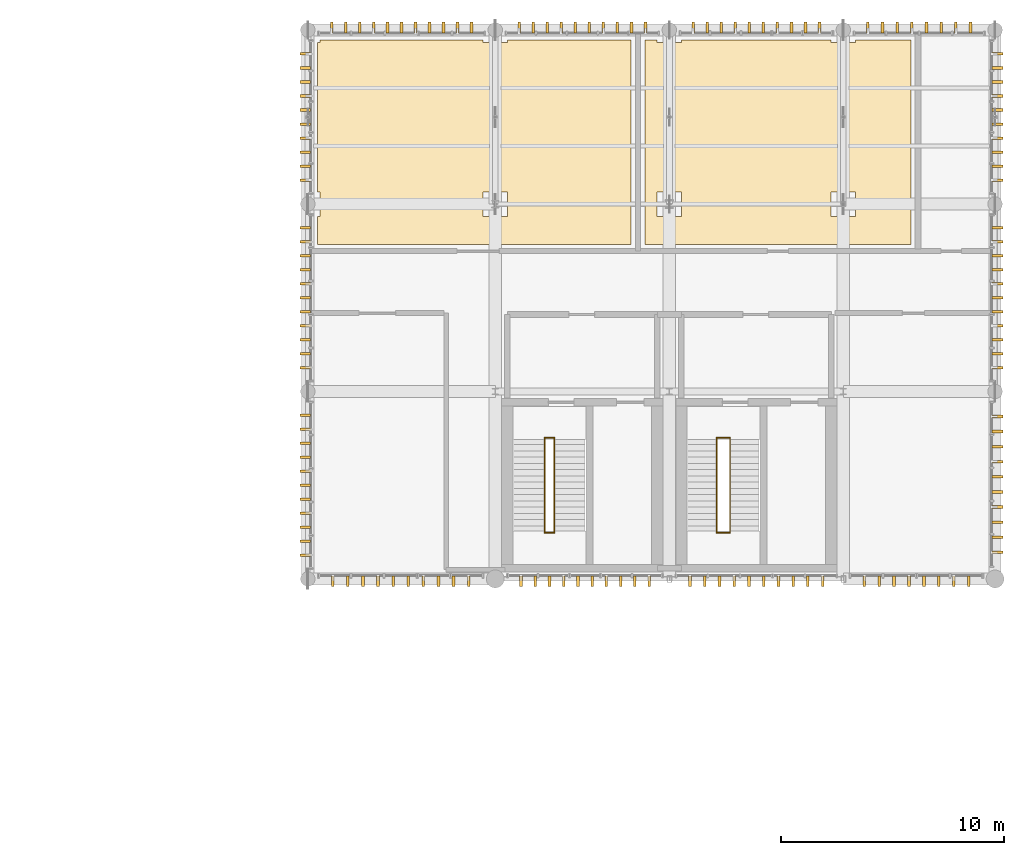
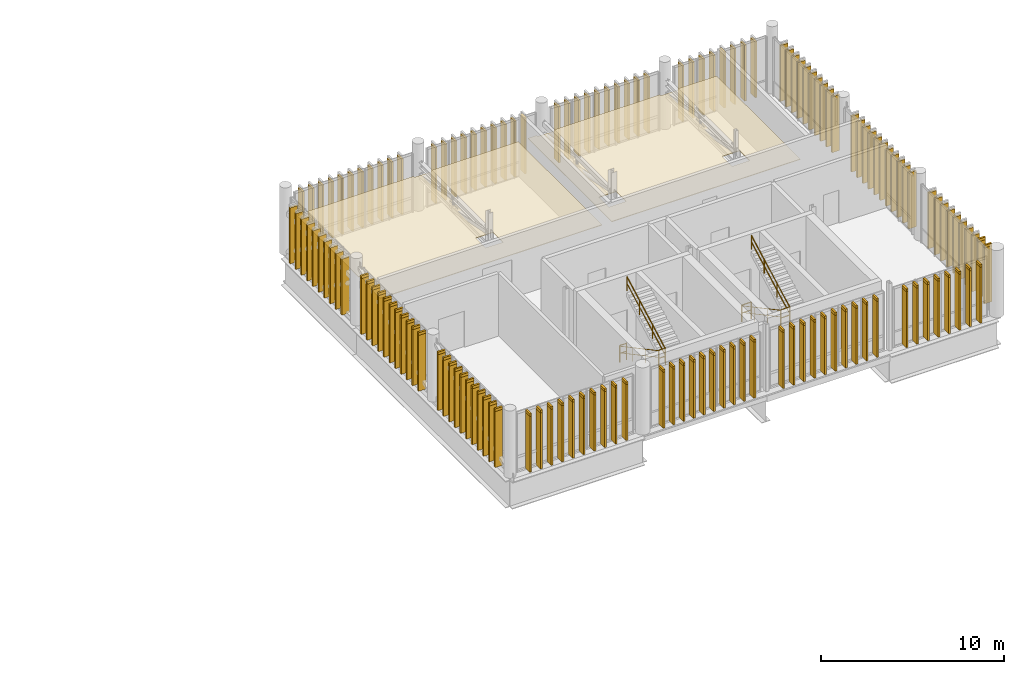
# One storey, part 52 of 53: 142 coverings, 62 shading devices, 8 railings.
"""IFC4 building model written with IfcOpenShell, lengths in metres."""

import ifcopenshell
import ifcopenshell.guid

model = None  # the IFC model being written
_history = None  # IfcOwnerHistory: only IFC2X3 demands one
_inside = {}  # id of a spatial element -> (the spatial element, [elements in it])
_under = {}  # id of a project, library or spatial element -> (it, [spatial elements below it])
_declared = {}  # id of a project -> (the project, [libraries it declares])
_typed = {}  # id of a type object -> (the type object, [elements of that type])
_made_of = {}  # id of a material, layer set ... -> (it, [elements and type objects made of it])


def new_model(schema):
    """Start an empty IFC model of exactly this schema.

    Asked for "IFC4X3", IfcOpenShell would pick the latest addendum, in which some entities
    have other attributes; the version numbers below select the first issue.
    IFC2X3 requires an IfcOwnerHistory on every rooted entity: one is made here for all.
    """
    global model, _history
    if schema == "IFC4X3":
        model = ifcopenshell.file(schema_version=(4, 3, 0, 0))
    else:
        model = ifcopenshell.file(schema=schema)
    _inside.clear()
    _under.clear()
    _declared.clear()
    _typed.clear()
    _made_of.clear()
    _history = None
    if model.schema == "IFC2X3":
        org = make("IfcOrganization", Name="unknown")
        user = make(
            "IfcPersonAndOrganization",
            ThePerson=make("IfcPerson", FamilyName="unknown"),
            TheOrganization=org,
        )
        app = make(
            "IfcApplication",
            ApplicationDeveloper=org,
            Version="unknown",
            ApplicationFullName="unknown",
            ApplicationIdentifier="unknown",
        )
        _history = make(
            "IfcOwnerHistory",
            OwningUser=user,
            OwningApplication=app,
            ChangeAction="ADDED",
            CreationDate=0,
        )
    return model


def make(cls, **values):
    """One entity of the class cls with the attributes given. An attribute that is None is left unset."""
    return model.create_entity(
        cls, **{name: value for name, value in values.items() if value is not None}
    )


def rooted(cls, **values):
    """An entity with a GlobalId (a new one), such as an element, a storey or a relation."""
    return make(cls, GlobalId=ifcopenshell.guid.new(), OwnerHistory=_history, **values)


def si_unit(unit_type, name, prefix=None):
    """IfcSIUnit, for example si_unit("LENGTHUNIT", "METRE", prefix="MILLI")."""
    return make("IfcSIUnit", UnitType=unit_type, Prefix=prefix, Name=name)


def assignment(units):
    """IfcUnitAssignment: the units of a project."""
    return None if units is None else make("IfcUnitAssignment", Units=units)


def point(xyz):
    """IfcCartesianPoint."""
    return None if xyz is None else make("IfcCartesianPoint", Coordinates=xyz)


def direction(xyz):
    """IfcDirection."""
    return None if xyz is None else make("IfcDirection", DirectionRatios=xyz)


def frame(location, z_axis=None, x_axis=None):
    """IfcAxis2Placement3D, a coordinate frame: its origin and axes. An axis left out is left unset."""
    return make(
        "IfcAxis2Placement3D",
        Location=point(location),
        Axis=direction(z_axis),
        RefDirection=direction(x_axis),
    )


def frame_2d(location, x_axis=None):
    """IfcAxis2Placement2D, a coordinate frame in the plane: its origin and x axis."""
    return make(
        "IfcAxis2Placement2D", Location=point(location), RefDirection=direction(x_axis)
    )


def origin_with_axes():
    """The frame at (0, 0, 0) with the z axis (0, 0, 1) and the x axis (1, 0, 0) written out."""
    return frame((0.0, 0.0, 0.0), z_axis=(0.0, 0.0, 1.0), x_axis=(1.0, 0.0, 0.0))


def origin_2d_with_axis():
    """The frame at (0, 0) in the plane with the x axis (1, 0) written out."""
    return frame_2d((0.0, 0.0), x_axis=(1.0, 0.0))


def place(relative_to, where):
    """IfcLocalPlacement: puts the frame where relative to a parent placement (None: the world)."""
    return make(
        "IfcLocalPlacement", PlacementRelTo=relative_to, RelativePlacement=where
    )


def context(
    kind, dimensions, precision=None, world=None, true_north=None, identifier=None
):
    """IfcGeometricRepresentationContext, for example the 3D "Model" context."""
    return make(
        "IfcGeometricRepresentationContext",
        ContextIdentifier=identifier,
        ContextType=kind,
        CoordinateSpaceDimension=dimensions,
        Precision=precision,
        WorldCoordinateSystem=world,
        TrueNorth=true_north,
    )


def subcontext(parent, identifier, kind, view, scale=None):
    """IfcGeometricRepresentationSubContext, for example "Body" below "Model"."""
    return make(
        "IfcGeometricRepresentationSubContext",
        ContextIdentifier=identifier,
        ContextType=kind,
        ParentContext=parent,
        TargetScale=scale,
        TargetView=view,
    )


def project(units=None, contexts=None):
    """IfcProject with its units and contexts."""
    return rooted(
        "IfcProject",
        Name="project",
        RepresentationContexts=contexts,
        UnitsInContext=assignment(units),
    )


def spatial(cls, under=None, at=None, **own):
    """A site, building, storey or space (cls), placed at a placement, below another one or the project."""
    s = rooted(cls, ObjectPlacement=at, **own)
    if under is not None:
        _under.setdefault(under.id(), (under, []))[1].append(s)
    return s


def polyline(points):
    """IfcPolyline through the points."""
    return make("IfcPolyline", Points=[point(p) for p in points])


def profile(cls, at=None, kind="AREA", **sizes):
    """A parametric profile (cls). Its sizes go by their IFC names, for example OverallWidth=200.0."""
    return make(cls, ProfileType=kind, Position=at, **sizes)


def rectangle(**sizes):
    """IfcRectangleProfileDef."""
    return profile("IfcRectangleProfileDef", **sizes)


def circle(**sizes):
    """IfcCircleProfileDef."""
    return profile("IfcCircleProfileDef", **sizes)


def outline(outer, holes=None, kind="AREA"):
    """IfcArbitraryClosedProfileDef: a profile drawn as a closed curve; with holes, ...WithVoids."""
    if holes is None:
        return make("IfcArbitraryClosedProfileDef", ProfileType=kind, OuterCurve=outer)
    return make(
        "IfcArbitraryProfileDefWithVoids",
        ProfileType=kind,
        OuterCurve=outer,
        InnerCurves=holes,
    )


def extrude(swept, where, along, depth):
    """IfcExtrudedAreaSolid: the profile swept, set in the frame where, extruded along a direction by depth."""
    return make(
        "IfcExtrudedAreaSolid",
        SweptArea=swept,
        Position=where,
        ExtrudedDirection=direction(along),
        Depth=depth,
    )


def shape(context_of_items, identifier, shape_type, items):
    """IfcShapeRepresentation: the items that make up one representation, for example the "Body"."""
    return make(
        "IfcShapeRepresentation",
        ContextOfItems=context_of_items,
        RepresentationIdentifier=identifier,
        RepresentationType=shape_type,
        Items=items,
    )


def material(Name=None, Category=None):
    """IfcMaterial."""
    return make("IfcMaterial", Name=Name, Category=Category)


def made_of(thing, what):
    """Note that an element or type object is made of a material, layer set ...; save() writes the relation."""
    if what is not None:
        _made_of.setdefault(what.id(), (what, []))[1].append(thing)
    return thing


def type_object(cls, material=None, **own):
    """A type object (cls), such as IfcWallType, which elements share."""
    return made_of(rooted(cls, **own), material)


def element(
    cls,
    number,
    at=None,
    inside=None,
    cuts=None,
    type_object=None,
    material=None,
    context=None,
    identifier="Body",
    shape_type=None,
    held_by="IfcProductDefinitionShape",
    body=None,
    shapes=None,
    **own,
):
    """One element of the class cls, such as IfcWall. Its Tag is "e" and its number.

    at: its placement. inside: the storey or other place that contains it. cuts: it is an
    opening in that element (IfcRelVoidsElement). A single representation is given by context,
    identifier, shape_type and body (its items); several are given by shapes. held_by: the class
    of the entity that holds the representations. save() writes the other relations.
    """
    e = rooted(cls, Tag="e%d" % number, ObjectPlacement=at, **own)
    if body is not None:
        shapes = [shape(context, identifier, shape_type, body)]
    if shapes is not None:
        e.Representation = make(held_by, Representations=shapes)
    if inside is not None:
        _inside.setdefault(inside.id(), (inside, []))[1].append(e)
    if cuts is not None:
        rooted(
            "IfcRelVoidsElement", RelatingBuildingElement=cuts, RelatedOpeningElement=e
        )
    if type_object is not None:
        _typed.setdefault(type_object.id(), (type_object, []))[1].append(e)
    return made_of(e, material)


def aggregate(whole, parts):
    """IfcRelAggregates: a whole, such as a stair, and the parts it consists of."""
    return rooted("IfcRelAggregates", RelatingObject=whole, RelatedObjects=parts)


def save(model, path):
    """Write the relations noted so far, then the file.

    IfcRelAggregates (storeys below a building ...), IfcRelContainedInSpatialStructure (elements
    in a storey), IfcRelDefinesByType, IfcRelAssociatesMaterial and IfcRelDeclares: one each for
    every whole, place, type object, material and project.
    """
    for whole, parts in _under.values():
        aggregate(whole, parts)
    for where, things in _inside.values():
        rooted(
            "IfcRelContainedInSpatialStructure",
            RelatedElements=things,
            RelatingStructure=where,
        )
    for kind, things in _typed.values():
        rooted("IfcRelDefinesByType", RelatedObjects=things, RelatingType=kind)
    for what, things in _made_of.values():
        rooted("IfcRelAssociatesMaterial", RelatedObjects=things, RelatingMaterial=what)
    for by, libraries in _declared.values():
        rooted("IfcRelDeclares", RelatingContext=by, RelatedDefinitions=libraries)
    model.write(path)


model = new_model("IFC4")

# Units and contexts
model_context = context("Model", 3, precision=1e-05, world=origin_with_axes(), true_north=direction((0.0, 1.0)))
body_context = subcontext(model_context, "Body", "Model", "MODEL_VIEW")
ifc_project = project(units=[si_unit("LENGTHUNIT", "METRE"), si_unit("AREAUNIT", "SQUARE_METRE"), si_unit("VOLUMEUNIT", "CUBIC_METRE"), si_unit("PLANEANGLEUNIT", "RADIAN"), si_unit("MASSUNIT", "GRAM", prefix="KILO"), si_unit("THERMODYNAMICTEMPERATUREUNIT", "KELVIN")], contexts=[model_context])

# Site, building, storey
site_placement = place(None, origin_with_axes())
site = spatial("IfcSite", under=ifc_project, at=site_placement, CompositionType="ELEMENT")
building_placement = place(site_placement, origin_with_axes())
building = spatial("IfcBuilding", under=site, at=building_placement, Name="Montbau Bow Law Courts", CompositionType="ELEMENT")
storey_placement = place(building_placement, frame((0.0, 0.0, 39.0), z_axis=(0.0, 0.0, 1.0), x_axis=(1.0, 0.0, 0.0)))
storey = spatial("IfcBuildingStorey", under=building, at=storey_placement, Name="L08", CompositionType="ELEMENT", Elevation=39.0)

# Coverings
ifc_material_1 = material(Name="Micro-Perforated White-Oak Acoustic Courtroom Ceiling", Category="wood")
covering_type_1 = type_object("IfcCoveringType", Name="CV-CLG-01", PredefinedType="CEILING", material=ifc_material_1)
covering_1_placement = place(None, frame((0.0, 0.0, 41.54), z_axis=(0.0, 0.0, 1.0), x_axis=(1.0, 0.0, 0.0)))
element("IfcCovering", 1, at=covering_1_placement, inside=storey, type_object=covering_type_1, Name="CLG-L08-04:cov_3546", PredefinedType="CEILING", context=body_context, shape_type="SweptSolid", body=[
    extrude(outline(polyline([(146.45, 110.56), (146.45, 110.45), (147.55, 110.45), (147.55, 110.56), (153.083, 110.56), (153.083, 101.38), (139.04, 101.38), (139.04, 102.65), (139.15, 102.65), (139.15, 103.75), (139.04, 103.75), (139.04, 110.45), (139.15, 110.45), (139.15, 110.56), (146.45, 110.56)]), holes=[polyline([(147.55, 102.65), (147.55, 103.75), (146.45, 103.75), (146.45, 102.65), (147.55, 102.65)])]), origin_with_axes(), (0.0, 0.0, 1.0), 0.04),
])
ifc_material_2 = material(Name="Mineral-Fibre Acoustic Lay-In Tile Ceiling", Category="gypsum")
covering_type_2 = type_object("IfcCoveringType", Name="CV-CLG-02", PredefinedType="CEILING", material=ifc_material_2)
covering_2_placement = place(None, frame((0.0, 0.0, 41.54), z_axis=(0.0, 0.0, 1.0), x_axis=(1.0, 0.0, 0.0)))
element("IfcCovering", 2, at=covering_2_placement, inside=storey, type_object=covering_type_2, Name="CLG-L08-05:cov_3547", PredefinedType="CEILING", context=body_context, shape_type="SweptSolid", body=[
    extrude(outline(polyline([(154.25, 110.56), (154.25, 110.45), (155.35, 110.45), (155.35, 110.56), (162.05, 110.56), (162.05, 110.45), (163.15, 110.45), (163.15, 110.56), (165.63, 110.56), (165.63, 101.38), (153.703, 101.38), (153.703, 110.56), (154.25, 110.56)]), holes=[polyline([(155.35, 102.65), (155.35, 103.75), (154.25, 103.75), (154.25, 102.65), (155.35, 102.65)]), polyline([(163.15, 102.65), (163.15, 103.75), (162.05, 103.75), (162.05, 102.65), (163.15, 102.65)])]), origin_with_axes(), (0.0, 0.0, 1.0), 0.04),
])
ifc_material_3 = material(Name="Freeze-Thaw Glazed Slate-Grey Ceramic Vertical Louvre", Category="masonry")
covering_type_3 = type_object("IfcCoveringType", Name="CV-LVR-SLT", PredefinedType="CLADDING", material=ifc_material_3)
for number, where, z_axis, x_axis, name in (
    (3, (139.717, 86.53, 39.0), (-1.0, 0.0, 0.0), (0.0, -1.0, 0.0), "CLV-L08-3230:cov_3275"),
    (4, (140.394, 86.53, 39.0), (-1.0, 0.0, 0.0), (0.0, -1.0, 0.0), "CLV-L08-3231:cov_3276"),
    (5, (141.07, 86.53, 39.0), (-1.0, 0.0, 0.0), (0.0, -1.0, 0.0), "CLV-L08-3232:cov_3277"),
    (6, (141.747, 86.53, 39.0), (-1.0, 0.0, 0.0), (0.0, -1.0, 0.0), "CLV-L08-3233:cov_3278"),
    (7, (142.424, 86.53, 39.0), (-1.0, 0.0, 0.0), (0.0, -1.0, 0.0), "CLV-L08-3234:cov_3279"),
    (8, (143.101, 86.53, 39.0), (-1.0, 0.0, 0.0), (0.0, -1.0, 0.0), "CLV-L08-3235:cov_3280"),
    (9, (143.778, 86.53, 39.0), (-1.0, 0.0, 0.0), (0.0, -1.0, 0.0), "CLV-L08-3236:cov_3281"),
    (10, (144.455, 86.53, 39.0), (-1.0, 0.0, 0.0), (0.0, -1.0, 0.0), "CLV-L08-3237:cov_3282"),
    (11, (145.131, 86.53, 39.0), (-1.0, 0.0, 0.0), (0.0, -1.0, 0.0), "CLV-L08-3238:cov_3283"),
    (12, (145.808, 86.53, 39.0), (-1.0, 0.0, 0.0), (0.0, -1.0, 0.0), "CLV-L08-3239:cov_3284"),
    (13, (148.153, 86.53, 39.0), (-1.0, 0.0, 0.0), (0.0, -1.0, 0.0), "CLV-L08-3240:cov_3285"),
    (14, (148.791, 86.53, 39.0), (-1.0, 0.0, 0.0), (0.0, -1.0, 0.0), "CLV-L08-3241:cov_3286"),
    (15, (149.429, 86.53, 39.0), (-1.0, 0.0, 0.0), (0.0, -1.0, 0.0), "CLV-L08-3242:cov_3287"),
    (16, (150.067, 86.53, 39.0), (-1.0, 0.0, 0.0), (0.0, -1.0, 0.0), "CLV-L08-3243:cov_3288"),
    (17, (150.705, 86.53, 39.0), (-1.0, 0.0, 0.0), (0.0, -1.0, 0.0), "CLV-L08-3244:cov_3289"),
    (18, (151.342, 86.53, 39.0), (-1.0, 0.0, 0.0), (0.0, -1.0, 0.0), "CLV-L08-3245:cov_3290"),
    (19, (151.98, 86.53, 39.0), (-1.0, 0.0, 0.0), (0.0, -1.0, 0.0), "CLV-L08-3246:cov_3291"),
    (20, (152.618, 86.53, 39.0), (-1.0, 0.0, 0.0), (0.0, -1.0, 0.0), "CLV-L08-3247:cov_3292"),
    (21, (153.256, 86.53, 39.0), (-1.0, 0.0, 0.0), (0.0, -1.0, 0.0), "CLV-L08-3248:cov_3293"),
    (22, (153.894, 86.53, 39.0), (-1.0, 0.0, 0.0), (0.0, -1.0, 0.0), "CLV-L08-3249:cov_3294"),
    (23, (155.728, 86.53, 39.0), (-1.0, 0.0, 0.0), (0.0, -1.0, 0.0), "CLV-L08-3250:cov_3295"),
    (24, (156.389, 86.53, 39.0), (-1.0, 0.0, 0.0), (0.0, -1.0, 0.0), "CLV-L08-3251:cov_3296"),
    (25, (157.049, 86.53, 39.0), (-1.0, 0.0, 0.0), (0.0, -1.0, 0.0), "CLV-L08-3252:cov_3297"),
    (26, (157.709, 86.53, 39.0), (-1.0, 0.0, 0.0), (0.0, -1.0, 0.0), "CLV-L08-3253:cov_3298"),
    (27, (158.37, 86.53, 39.0), (-1.0, 0.0, 0.0), (0.0, -1.0, 0.0), "CLV-L08-3254:cov_3299"),
    (28, (159.03, 86.53, 39.0), (-1.0, 0.0, 0.0), (0.0, -1.0, 0.0), "CLV-L08-3255:cov_3300"),
    (29, (159.691, 86.53, 39.0), (-1.0, 0.0, 0.0), (0.0, -1.0, 0.0), "CLV-L08-3256:cov_3301"),
    (30, (160.351, 86.53, 39.0), (-1.0, 0.0, 0.0), (0.0, -1.0, 0.0), "CLV-L08-3257:cov_3302"),
    (31, (161.011, 86.53, 39.0), (-1.0, 0.0, 0.0), (0.0, -1.0, 0.0), "CLV-L08-3258:cov_3303"),
    (32, (161.672, 86.53, 39.0), (-1.0, 0.0, 0.0), (0.0, -1.0, 0.0), "CLV-L08-3259:cov_3304"),
    (33, (163.537, 86.53, 39.0), (-1.0, 0.0, 0.0), (0.0, -1.0, 0.0), "CLV-L08-3260:cov_3305"),
    (34, (164.205, 86.53, 39.0), (-1.0, 0.0, 0.0), (0.0, -1.0, 0.0), "CLV-L08-3261:cov_3306"),
    (35, (164.874, 86.53, 39.0), (-1.0, 0.0, 0.0), (0.0, -1.0, 0.0), "CLV-L08-3262:cov_3307"),
    (36, (165.542, 86.53, 39.0), (-1.0, 0.0, 0.0), (0.0, -1.0, 0.0), "CLV-L08-3263:cov_3308"),
    (37, (166.211, 86.53, 39.0), (-1.0, 0.0, 0.0), (0.0, -1.0, 0.0), "CLV-L08-3264:cov_3309"),
    (38, (166.879, 86.53, 39.0), (-1.0, 0.0, 0.0), (0.0, -1.0, 0.0), "CLV-L08-3265:cov_3310"),
    (39, (167.548, 86.53, 39.0), (-1.0, 0.0, 0.0), (0.0, -1.0, 0.0), "CLV-L08-3266:cov_3311"),
    (40, (168.216, 86.53, 39.0), (-1.0, 0.0, 0.0), (0.0, -1.0, 0.0), "CLV-L08-3267:cov_3312"),
    (41, (139.667, 110.87, 39.0), (1.0, 0.0, 0.0), (0.0, 1.0, 0.0), "CLV-L08-3268:cov_3313"),
    (42, (140.293, 110.87, 39.0), (1.0, 0.0, 0.0), (0.0, 1.0, 0.0), "CLV-L08-3269:cov_3314"),
    (43, (140.92, 110.87, 39.0), (1.0, 0.0, 0.0), (0.0, 1.0, 0.0), "CLV-L08-3270:cov_3315"),
    (44, (141.547, 110.87, 39.0), (1.0, 0.0, 0.0), (0.0, 1.0, 0.0), "CLV-L08-3271:cov_3316"),
    (45, (142.173, 110.87, 39.0), (1.0, 0.0, 0.0), (0.0, 1.0, 0.0), "CLV-L08-3272:cov_3317"),
    (46, (142.8, 110.87, 39.0), (1.0, 0.0, 0.0), (0.0, 1.0, 0.0), "CLV-L08-3273:cov_3318"),
    (47, (143.427, 110.87, 39.0), (1.0, 0.0, 0.0), (0.0, 1.0, 0.0), "CLV-L08-3274:cov_3319"),
    (48, (144.053, 110.87, 39.0), (1.0, 0.0, 0.0), (0.0, 1.0, 0.0), "CLV-L08-3275:cov_3320"),
    (49, (144.68, 110.87, 39.0), (1.0, 0.0, 0.0), (0.0, 1.0, 0.0), "CLV-L08-3276:cov_3321"),
    (50, (145.307, 110.87, 39.0), (1.0, 0.0, 0.0), (0.0, 1.0, 0.0), "CLV-L08-3277:cov_3322"),
    (51, (145.933, 110.87, 39.0), (1.0, 0.0, 0.0), (0.0, 1.0, 0.0), "CLV-L08-3278:cov_3323"),
    (52, (148.069, 110.87, 39.0), (1.0, 0.0, 0.0), (0.0, 1.0, 0.0), "CLV-L08-3279:cov_3324"),
    (53, (148.698, 110.87, 39.0), (1.0, 0.0, 0.0), (0.0, 1.0, 0.0), "CLV-L08-3280:cov_3325"),
    (54, (149.327, 110.87, 39.0), (1.0, 0.0, 0.0), (0.0, 1.0, 0.0), "CLV-L08-3281:cov_3326"),
    (55, (149.956, 110.87, 39.0), (1.0, 0.0, 0.0), (0.0, 1.0, 0.0), "CLV-L08-3282:cov_3327"),
    (56, (150.585, 110.87, 39.0), (1.0, 0.0, 0.0), (0.0, 1.0, 0.0), "CLV-L08-3283:cov_3328"),
    (57, (151.215, 110.87, 39.0), (1.0, 0.0, 0.0), (0.0, 1.0, 0.0), "CLV-L08-3284:cov_3329"),
    (58, (151.844, 110.87, 39.0), (1.0, 0.0, 0.0), (0.0, 1.0, 0.0), "CLV-L08-3285:cov_3330"),
    (59, (152.473, 110.87, 39.0), (1.0, 0.0, 0.0), (0.0, 1.0, 0.0), "CLV-L08-3286:cov_3331"),
    (60, (153.102, 110.87, 39.0), (1.0, 0.0, 0.0), (0.0, 1.0, 0.0), "CLV-L08-3287:cov_3332"),
    (61, (153.731, 110.87, 39.0), (1.0, 0.0, 0.0), (0.0, 1.0, 0.0), "CLV-L08-3288:cov_3333"),
    (62, (155.869, 110.87, 39.0), (1.0, 0.0, 0.0), (0.0, 1.0, 0.0), "CLV-L08-3289:cov_3334"),
    (63, (156.498, 110.87, 39.0), (1.0, 0.0, 0.0), (0.0, 1.0, 0.0), "CLV-L08-3290:cov_3335"),
    (64, (157.127, 110.87, 39.0), (1.0, 0.0, 0.0), (0.0, 1.0, 0.0), "CLV-L08-3291:cov_3336"),
    (65, (157.756, 110.87, 39.0), (1.0, 0.0, 0.0), (0.0, 1.0, 0.0), "CLV-L08-3292:cov_3337"),
    (66, (158.385, 110.87, 39.0), (1.0, 0.0, 0.0), (0.0, 1.0, 0.0), "CLV-L08-3293:cov_3338"),
    (67, (159.015, 110.87, 39.0), (1.0, 0.0, 0.0), (0.0, 1.0, 0.0), "CLV-L08-3294:cov_3339"),
    (68, (159.644, 110.87, 39.0), (1.0, 0.0, 0.0), (0.0, 1.0, 0.0), "CLV-L08-3295:cov_3340"),
    (69, (160.273, 110.87, 39.0), (1.0, 0.0, 0.0), (0.0, 1.0, 0.0), "CLV-L08-3296:cov_3341"),
    (70, (160.902, 110.87, 39.0), (1.0, 0.0, 0.0), (0.0, 1.0, 0.0), "CLV-L08-3297:cov_3342"),
    (71, (161.531, 110.87, 39.0), (1.0, 0.0, 0.0), (0.0, 1.0, 0.0), "CLV-L08-3298:cov_3343"),
    (72, (163.698, 110.87, 39.0), (1.0, 0.0, 0.0), (0.0, 1.0, 0.0), "CLV-L08-3299:cov_3344"),
    (73, (164.356, 110.87, 39.0), (1.0, 0.0, 0.0), (0.0, 1.0, 0.0), "CLV-L08-3300:cov_3345"),
    (74, (165.013, 110.87, 39.0), (1.0, 0.0, 0.0), (0.0, 1.0, 0.0), "CLV-L08-3301:cov_3346"),
    (75, (165.671, 110.87, 39.0), (1.0, 0.0, 0.0), (0.0, 1.0, 0.0), "CLV-L08-3302:cov_3347"),
    (76, (166.329, 110.87, 39.0), (1.0, 0.0, 0.0), (0.0, 1.0, 0.0), "CLV-L08-3303:cov_3348"),
    (77, (166.987, 110.87, 39.0), (1.0, 0.0, 0.0), (0.0, 1.0, 0.0), "CLV-L08-3304:cov_3349"),
    (78, (167.644, 110.87, 39.0), (1.0, 0.0, 0.0), (0.0, 1.0, 0.0), "CLV-L08-3305:cov_3350"),
    (79, (168.302, 110.87, 39.0), (1.0, 0.0, 0.0), (0.0, 1.0, 0.0), "CLV-L08-3306:cov_3351"),
    (80, (138.73, 87.467, 39.0), (0.0, 1.0, 0.0), (-1.0, 0.0, 0.0), "CLV-L08-3307:cov_3352"),
    (81, (138.73, 88.093, 39.0), (0.0, 1.0, 0.0), (-1.0, 0.0, 0.0), "CLV-L08-3308:cov_3353"),
    (82, (138.73, 88.72, 39.0), (0.0, 1.0, 0.0), (-1.0, 0.0, 0.0), "CLV-L08-3309:cov_3354"),
    (83, (138.73, 89.347, 39.0), (0.0, 1.0, 0.0), (-1.0, 0.0, 0.0), "CLV-L08-3310:cov_3355"),
    (84, (138.73, 89.973, 39.0), (0.0, 1.0, 0.0), (-1.0, 0.0, 0.0), "CLV-L08-3311:cov_3356"),
    (85, (138.73, 90.6, 39.0), (0.0, 1.0, 0.0), (-1.0, 0.0, 0.0), "CLV-L08-3312:cov_3357"),
    (86, (138.73, 91.227, 39.0), (0.0, 1.0, 0.0), (-1.0, 0.0, 0.0), "CLV-L08-3313:cov_3358"),
    (87, (138.73, 91.853, 39.0), (0.0, 1.0, 0.0), (-1.0, 0.0, 0.0), "CLV-L08-3314:cov_3359"),
    (88, (138.73, 92.48, 39.0), (0.0, 1.0, 0.0), (-1.0, 0.0, 0.0), "CLV-L08-3315:cov_3360"),
    (89, (138.73, 93.107, 39.0), (0.0, 1.0, 0.0), (-1.0, 0.0, 0.0), "CLV-L08-3316:cov_3361"),
    (90, (138.73, 93.733, 39.0), (0.0, 1.0, 0.0), (-1.0, 0.0, 0.0), "CLV-L08-3317:cov_3362"),
    (91, (138.73, 95.867, 39.0), (0.0, 1.0, 0.0), (-1.0, 0.0, 0.0), "CLV-L08-3318:cov_3363"),
    (92, (138.73, 96.493, 39.0), (0.0, 1.0, 0.0), (-1.0, 0.0, 0.0), "CLV-L08-3319:cov_3364"),
    (93, (138.73, 97.12, 39.0), (0.0, 1.0, 0.0), (-1.0, 0.0, 0.0), "CLV-L08-3320:cov_3365"),
    (94, (138.73, 97.747, 39.0), (0.0, 1.0, 0.0), (-1.0, 0.0, 0.0), "CLV-L08-3321:cov_3366"),
    (95, (138.73, 98.373, 39.0), (0.0, 1.0, 0.0), (-1.0, 0.0, 0.0), "CLV-L08-3322:cov_3367"),
    (96, (138.73, 99.0, 39.0), (0.0, 1.0, 0.0), (-1.0, 0.0, 0.0), "CLV-L08-3323:cov_3368"),
    (97, (138.73, 99.627, 39.0), (0.0, 1.0, 0.0), (-1.0, 0.0, 0.0), "CLV-L08-3324:cov_3369"),
    (98, (138.73, 100.253, 39.0), (0.0, 1.0, 0.0), (-1.0, 0.0, 0.0), "CLV-L08-3325:cov_3370"),
    (99, (138.73, 100.88, 39.0), (0.0, 1.0, 0.0), (-1.0, 0.0, 0.0), "CLV-L08-3326:cov_3371"),
    (100, (138.73, 101.507, 39.0), (0.0, 1.0, 0.0), (-1.0, 0.0, 0.0), "CLV-L08-3327:cov_3372"),
    (101, (138.73, 102.133, 39.0), (0.0, 1.0, 0.0), (-1.0, 0.0, 0.0), "CLV-L08-3328:cov_3373"),
    (102, (138.73, 104.269, 39.0), (0.0, 1.0, 0.0), (-1.0, 0.0, 0.0), "CLV-L08-3329:cov_3374"),
    (103, (138.73, 104.898, 39.0), (0.0, 1.0, 0.0), (-1.0, 0.0, 0.0), "CLV-L08-3330:cov_3375"),
    (104, (138.73, 105.527, 39.0), (0.0, 1.0, 0.0), (-1.0, 0.0, 0.0), "CLV-L08-3331:cov_3376"),
    (105, (138.73, 106.156, 39.0), (0.0, 1.0, 0.0), (-1.0, 0.0, 0.0), "CLV-L08-3332:cov_3377"),
    (106, (138.73, 106.785, 39.0), (0.0, 1.0, 0.0), (-1.0, 0.0, 0.0), "CLV-L08-3333:cov_3378"),
    (107, (138.73, 107.415, 39.0), (0.0, 1.0, 0.0), (-1.0, 0.0, 0.0), "CLV-L08-3334:cov_3379"),
    (108, (138.73, 108.044, 39.0), (0.0, 1.0, 0.0), (-1.0, 0.0, 0.0), "CLV-L08-3335:cov_3380"),
    (109, (138.73, 108.673, 39.0), (0.0, 1.0, 0.0), (-1.0, 0.0, 0.0), "CLV-L08-3336:cov_3381"),
    (110, (138.73, 109.302, 39.0), (0.0, 1.0, 0.0), (-1.0, 0.0, 0.0), "CLV-L08-3337:cov_3382"),
    (111, (138.73, 109.931, 39.0), (0.0, 1.0, 0.0), (-1.0, 0.0, 0.0), "CLV-L08-3338:cov_3383"),
    (112, (169.27, 87.592, 39.0), (0.0, -1.0, 0.0), (1.0, 0.0, 0.0), "CLV-L08-3339:cov_3384"),
    (113, (169.27, 88.269, 39.0), (0.0, -1.0, 0.0), (1.0, 0.0, 0.0), "CLV-L08-3340:cov_3385"),
    (114, (169.27, 88.945, 39.0), (0.0, -1.0, 0.0), (1.0, 0.0, 0.0), "CLV-L08-3341:cov_3386"),
    (115, (169.27, 89.622, 39.0), (0.0, -1.0, 0.0), (1.0, 0.0, 0.0), "CLV-L08-3342:cov_3387"),
    (116, (169.27, 90.299, 39.0), (0.0, -1.0, 0.0), (1.0, 0.0, 0.0), "CLV-L08-3343:cov_3388"),
    (117, (169.27, 90.976, 39.0), (0.0, -1.0, 0.0), (1.0, 0.0, 0.0), "CLV-L08-3344:cov_3389"),
    (118, (169.27, 91.653, 39.0), (0.0, -1.0, 0.0), (1.0, 0.0, 0.0), "CLV-L08-3345:cov_3390"),
    (119, (169.27, 92.33, 39.0), (0.0, -1.0, 0.0), (1.0, 0.0, 0.0), "CLV-L08-3346:cov_3391"),
    (120, (169.27, 93.006, 39.0), (0.0, -1.0, 0.0), (1.0, 0.0, 0.0), "CLV-L08-3347:cov_3392"),
    (121, (169.27, 93.683, 39.0), (0.0, -1.0, 0.0), (1.0, 0.0, 0.0), "CLV-L08-3348:cov_3393"),
    (122, (169.27, 95.867, 39.0), (0.0, -1.0, 0.0), (1.0, 0.0, 0.0), "CLV-L08-3349:cov_3394"),
    (123, (169.27, 96.493, 39.0), (0.0, -1.0, 0.0), (1.0, 0.0, 0.0), "CLV-L08-3350:cov_3395"),
    (124, (169.27, 97.12, 39.0), (0.0, -1.0, 0.0), (1.0, 0.0, 0.0), "CLV-L08-3351:cov_3396"),
    (125, (169.27, 97.747, 39.0), (0.0, -1.0, 0.0), (1.0, 0.0, 0.0), "CLV-L08-3352:cov_3397"),
    (126, (169.27, 98.373, 39.0), (0.0, -1.0, 0.0), (1.0, 0.0, 0.0), "CLV-L08-3353:cov_3398"),
    (127, (169.27, 99.0, 39.0), (0.0, -1.0, 0.0), (1.0, 0.0, 0.0), "CLV-L08-3354:cov_3399"),
    (128, (169.27, 99.627, 39.0), (0.0, -1.0, 0.0), (1.0, 0.0, 0.0), "CLV-L08-3355:cov_3400"),
    (129, (169.27, 100.253, 39.0), (0.0, -1.0, 0.0), (1.0, 0.0, 0.0), "CLV-L08-3356:cov_3401"),
    (130, (169.27, 100.88, 39.0), (0.0, -1.0, 0.0), (1.0, 0.0, 0.0), "CLV-L08-3357:cov_3402"),
    (131, (169.27, 101.507, 39.0), (0.0, -1.0, 0.0), (1.0, 0.0, 0.0), "CLV-L08-3358:cov_3403"),
    (132, (169.27, 102.133, 39.0), (0.0, -1.0, 0.0), (1.0, 0.0, 0.0), "CLV-L08-3359:cov_3404"),
    (133, (169.27, 104.269, 39.0), (0.0, -1.0, 0.0), (1.0, 0.0, 0.0), "CLV-L08-3360:cov_3405"),
    (134, (169.27, 104.898, 39.0), (0.0, -1.0, 0.0), (1.0, 0.0, 0.0), "CLV-L08-3361:cov_3406"),
    (135, (169.27, 105.527, 39.0), (0.0, -1.0, 0.0), (1.0, 0.0, 0.0), "CLV-L08-3362:cov_3407"),
    (136, (169.27, 106.156, 39.0), (0.0, -1.0, 0.0), (1.0, 0.0, 0.0), "CLV-L08-3363:cov_3408"),
    (137, (169.27, 106.785, 39.0), (0.0, -1.0, 0.0), (1.0, 0.0, 0.0), "CLV-L08-3364:cov_3409"),
    (138, (169.27, 107.415, 39.0), (0.0, -1.0, 0.0), (1.0, 0.0, 0.0), "CLV-L08-3365:cov_3410"),
    (139, (169.27, 108.044, 39.0), (0.0, -1.0, 0.0), (1.0, 0.0, 0.0), "CLV-L08-3366:cov_3411"),
    (140, (169.27, 108.673, 39.0), (0.0, -1.0, 0.0), (1.0, 0.0, 0.0), "CLV-L08-3367:cov_3412"),
    (141, (169.27, 109.302, 39.0), (0.0, -1.0, 0.0), (1.0, 0.0, 0.0), "CLV-L08-3368:cov_3413"),
    (142, (169.27, 109.931, 39.0), (0.0, -1.0, 0.0), (1.0, 0.0, 0.0), "CLV-L08-3369:cov_3414"),
):
    element("IfcCovering", number, at=place(None, frame(where, z_axis=z_axis, x_axis=x_axis)), inside=storey, type_object=covering_type_3, Name=name, PredefinedType="CLADDING", context=body_context, shape_type="SweptSolid", body=[
        extrude(rectangle(XDim=0.48, YDim=3.74, at=frame_2d((0.24, 1.87), x_axis=(1.0, 0.0))), frame((0.0, 0.0, -0.06), z_axis=(0.0, 0.0, 1.0), x_axis=(1.0, 0.0, 0.0)), (0.0, 0.0, 1.0), 0.12),
    ])

# Railings
ifc_material_4 = material(Name="Architectural Bronze-Finished Steel Stair Guard", Category="steel")
railing_type_1 = type_object("IfcRailingType", Name="RL-GRD-1100", PredefinedType="GUARDRAIL", material=ifc_material_4)
railing_1_placement = place(None, origin_with_axes())
element("IfcRailing", 143, at=railing_1_placement, inside=storey, type_object=railing_type_1, Name="SG-ST-P2-L08-ML:rlg_0196", PredefinedType="GUARDRAIL", context=body_context, shape_type="SweptSolid", body=[
    extrude(circle(Radius=0.0225, at=origin_2d_with_axis()), frame((149.21, 88.47, 42.352), z_axis=(1.0, 0.0, 0.0), x_axis=(0.0, 0.0, 1.0)), (0.0, 0.0, 1.0), 0.43),
    extrude(circle(Radius=0.02025, at=origin_2d_with_axis()), frame((149.21, 88.47, 41.822), z_axis=(1.0, 0.0, 0.0), x_axis=(0.0, 0.0, 1.0)), (0.0, 0.0, 1.0), 0.43),
    extrude(circle(Radius=0.02025, at=origin_2d_with_axis()), frame((149.21, 88.47, 41.25), z_axis=(0.0, 0.0, 1.0), x_axis=(1.0, 0.0, 0.0)), (0.0, 0.0, 1.0), 1.07525),
    extrude(circle(Radius=0.02025, at=origin_2d_with_axis()), frame((149.64, 88.47, 41.25), z_axis=(0.0, 0.0, 1.0), x_axis=(1.0, 0.0, 0.0)), (0.0, 0.0, 1.0), 1.07525),
])
railing_2_placement = place(None, origin_with_axes())
element("IfcRailing", 144, at=railing_2_placement, inside=storey, type_object=railing_type_1, Name="SG-ST-P2-L08-BL:rlg_0197", PredefinedType="GUARDRAIL", context=body_context, shape_type="SweptSolid", body=[
    extrude(circle(Radius=0.0225, at=origin_2d_with_axis()), frame((149.21, 92.73, 40.102), z_axis=(1.0, 0.0, 0.0), x_axis=(0.0, 0.0, 1.0)), (0.0, 0.0, 1.0), 0.43),
    extrude(circle(Radius=0.02025, at=origin_2d_with_axis()), frame((149.21, 92.73, 39.572), z_axis=(1.0, 0.0, 0.0), x_axis=(0.0, 0.0, 1.0)), (0.0, 0.0, 1.0), 0.43),
    extrude(circle(Radius=0.02025, at=origin_2d_with_axis()), frame((149.21, 92.73, 39.0), z_axis=(0.0, 0.0, 1.0), x_axis=(1.0, 0.0, 0.0)), (0.0, 0.0, 1.0), 1.07525),
    extrude(circle(Radius=0.02025, at=origin_2d_with_axis()), frame((149.64, 92.73, 39.0), z_axis=(0.0, 0.0, 1.0), x_axis=(1.0, 0.0, 0.0)), (0.0, 0.0, 1.0), 1.07525),
])
railing_3_placement = place(None, origin_with_axes())
element("IfcRailing", 145, at=railing_3_placement, inside=storey, type_object=railing_type_1, Name="SG-ST-J2-L08-ML:rlg_0239", PredefinedType="GUARDRAIL", context=body_context, shape_type="SweptSolid", body=[
    extrude(circle(Radius=0.0225, at=origin_2d_with_axis()), frame((156.93, 88.47, 42.352), z_axis=(1.0, 0.0, 0.0), x_axis=(0.0, 0.0, 1.0)), (0.0, 0.0, 1.0), 0.59),
    extrude(circle(Radius=0.02025, at=origin_2d_with_axis()), frame((156.93, 88.47, 41.822), z_axis=(1.0, 0.0, 0.0), x_axis=(0.0, 0.0, 1.0)), (0.0, 0.0, 1.0), 0.59),
    extrude(circle(Radius=0.02025, at=origin_2d_with_axis()), frame((156.93, 88.47, 41.25), z_axis=(0.0, 0.0, 1.0), x_axis=(1.0, 0.0, 0.0)), (0.0, 0.0, 1.0), 1.07525),
    extrude(circle(Radius=0.02025, at=origin_2d_with_axis()), frame((157.52, 88.47, 41.25), z_axis=(0.0, 0.0, 1.0), x_axis=(1.0, 0.0, 0.0)), (0.0, 0.0, 1.0), 1.07525),
])
railing_4_placement = place(None, origin_with_axes())
element("IfcRailing", 146, at=railing_4_placement, inside=storey, type_object=railing_type_1, Name="SG-ST-J2-L08-BL:rlg_0240", PredefinedType="GUARDRAIL", context=body_context, shape_type="SweptSolid", body=[
    extrude(circle(Radius=0.0225, at=origin_2d_with_axis()), frame((156.93, 92.73, 40.102), z_axis=(1.0, 0.0, 0.0), x_axis=(0.0, 0.0, 1.0)), (0.0, 0.0, 1.0), 0.59),
    extrude(circle(Radius=0.02025, at=origin_2d_with_axis()), frame((156.93, 92.73, 39.572), z_axis=(1.0, 0.0, 0.0), x_axis=(0.0, 0.0, 1.0)), (0.0, 0.0, 1.0), 0.59),
    extrude(circle(Radius=0.02025, at=origin_2d_with_axis()), frame((156.93, 92.73, 39.0), z_axis=(0.0, 0.0, 1.0), x_axis=(1.0, 0.0, 0.0)), (0.0, 0.0, 1.0), 1.07525),
    extrude(circle(Radius=0.02025, at=origin_2d_with_axis()), frame((157.52, 92.73, 39.0), z_axis=(0.0, 0.0, 1.0), x_axis=(1.0, 0.0, 0.0)), (0.0, 0.0, 1.0), 1.07525),
])
ifc_material_5 = material(Name="White-Oak and Stainless Continuous Stair Handrail", Category="steel")
railing_type_2 = type_object("IfcRailingType", Name="RL-HND-0920", PredefinedType="HANDRAIL", material=ifc_material_5)
railing_5_placement = place(None, origin_with_axes())
element("IfcRailing", 147, at=railing_5_placement, inside=storey, type_object=railing_type_2, Name="HR-ST-P2-L08-1:rlg_0198", PredefinedType="HANDRAIL", context=body_context, shape_type="SweptSolid", body=[
    extrude(circle(Radius=0.021, at=origin_2d_with_axis()), frame((149.21, 92.7, 40.072), z_axis=(0.0, -0.88147997, 0.472221413), x_axis=(0.0, 0.472221413, 0.88147997)), (0.0, 0.0, 1.0), 4.764714),
    extrude(circle(Radius=0.0189, at=origin_2d_with_axis()), frame((149.21, 92.7, 39.6284), z_axis=(0.0, -0.88147997, 0.472221413), x_axis=(0.0, 0.472221413, 0.88147997)), (0.0, 0.0, 1.0), 4.764714),
    extrude(circle(Radius=0.0189, at=origin_2d_with_axis()), frame((149.21, 92.7, 39.15), z_axis=(0.0, 0.0, 1.0), x_axis=(1.0, 0.0, 0.0)), (0.0, 0.0, 1.0), 0.8969),
    extrude(circle(Radius=0.0189, at=origin_2d_with_axis()), frame((149.21, 91.3, 39.9), z_axis=(0.0, 0.0, 1.0), x_axis=(1.0, 0.0, 0.0)), (0.0, 0.0, 1.0), 0.8969),
    extrude(circle(Radius=0.0189, at=origin_2d_with_axis()), frame((149.21, 89.9, 40.65), z_axis=(0.0, 0.0, 1.0), x_axis=(1.0, 0.0, 0.0)), (0.0, 0.0, 1.0), 0.8969),
    extrude(circle(Radius=0.0189, at=origin_2d_with_axis()), frame((149.21, 88.5, 41.4), z_axis=(0.0, 0.0, 1.0), x_axis=(1.0, 0.0, 0.0)), (0.0, 0.0, 1.0), 0.8969),
])
railing_6_placement = place(None, origin_with_axes())
element("IfcRailing", 148, at=railing_6_placement, inside=storey, type_object=railing_type_2, Name="HR-ST-P2-L08-2:rlg_0199", PredefinedType="HANDRAIL", context=body_context, shape_type="SweptSolid", body=[
    extrude(circle(Radius=0.021, at=origin_2d_with_axis()), frame((149.64, 88.5, 42.322), z_axis=(0.0, 0.88147997, 0.472221413), x_axis=(0.0, -0.472221413, 0.88147997)), (0.0, 0.0, 1.0), 4.764714),
    extrude(circle(Radius=0.0189, at=origin_2d_with_axis()), frame((149.64, 88.5, 41.8784), z_axis=(0.0, 0.88147997, 0.472221413), x_axis=(0.0, -0.472221413, 0.88147997)), (0.0, 0.0, 1.0), 4.764714),
    extrude(circle(Radius=0.0189, at=origin_2d_with_axis()), frame((149.64, 88.5, 41.4), z_axis=(0.0, 0.0, 1.0), x_axis=(1.0, 0.0, 0.0)), (0.0, 0.0, 1.0), 0.8969),
    extrude(circle(Radius=0.0189, at=origin_2d_with_axis()), frame((149.64, 89.9, 42.15), z_axis=(0.0, 0.0, 1.0), x_axis=(1.0, 0.0, 0.0)), (0.0, 0.0, 1.0), 0.8969),
    extrude(circle(Radius=0.0189, at=origin_2d_with_axis()), frame((149.64, 91.3, 42.9), z_axis=(0.0, 0.0, 1.0), x_axis=(1.0, 0.0, 0.0)), (0.0, 0.0, 1.0), 0.8969),
    extrude(circle(Radius=0.0189, at=origin_2d_with_axis()), frame((149.64, 92.7, 43.65), z_axis=(0.0, 0.0, 1.0), x_axis=(1.0, 0.0, 0.0)), (0.0, 0.0, 1.0), 0.8969),
])
railing_7_placement = place(None, origin_with_axes())
element("IfcRailing", 149, at=railing_7_placement, inside=storey, type_object=railing_type_2, Name="HR-ST-J2-L08-1:rlg_0241", PredefinedType="HANDRAIL", context=body_context, shape_type="SweptSolid", body=[
    extrude(circle(Radius=0.021, at=origin_2d_with_axis()), frame((156.93, 92.7, 40.072), z_axis=(0.0, -0.88147997, 0.472221413), x_axis=(0.0, 0.472221413, 0.88147997)), (0.0, 0.0, 1.0), 4.764714),
    extrude(circle(Radius=0.0189, at=origin_2d_with_axis()), frame((156.93, 92.7, 39.6284), z_axis=(0.0, -0.88147997, 0.472221413), x_axis=(0.0, 0.472221413, 0.88147997)), (0.0, 0.0, 1.0), 4.764714),
    extrude(circle(Radius=0.0189, at=origin_2d_with_axis()), frame((156.93, 92.7, 39.15), z_axis=(0.0, 0.0, 1.0), x_axis=(1.0, 0.0, 0.0)), (0.0, 0.0, 1.0), 0.8969),
    extrude(circle(Radius=0.0189, at=origin_2d_with_axis()), frame((156.93, 91.3, 39.9), z_axis=(0.0, 0.0, 1.0), x_axis=(1.0, 0.0, 0.0)), (0.0, 0.0, 1.0), 0.8969),
    extrude(circle(Radius=0.0189, at=origin_2d_with_axis()), frame((156.93, 89.9, 40.65), z_axis=(0.0, 0.0, 1.0), x_axis=(1.0, 0.0, 0.0)), (0.0, 0.0, 1.0), 0.8969),
    extrude(circle(Radius=0.0189, at=origin_2d_with_axis()), frame((156.93, 88.5, 41.4), z_axis=(0.0, 0.0, 1.0), x_axis=(1.0, 0.0, 0.0)), (0.0, 0.0, 1.0), 0.8969),
])
railing_8_placement = place(None, origin_with_axes())
element("IfcRailing", 150, at=railing_8_placement, inside=storey, type_object=railing_type_2, Name="HR-ST-J2-L08-2:rlg_0242", PredefinedType="HANDRAIL", context=body_context, shape_type="SweptSolid", body=[
    extrude(circle(Radius=0.021, at=origin_2d_with_axis()), frame((157.52, 88.5, 42.322), z_axis=(0.0, 0.88147997, 0.472221413), x_axis=(0.0, -0.472221413, 0.88147997)), (0.0, 0.0, 1.0), 4.764714),
    extrude(circle(Radius=0.0189, at=origin_2d_with_axis()), frame((157.52, 88.5, 41.8784), z_axis=(0.0, 0.88147997, 0.472221413), x_axis=(0.0, -0.472221413, 0.88147997)), (0.0, 0.0, 1.0), 4.764714),
    extrude(circle(Radius=0.0189, at=origin_2d_with_axis()), frame((157.52, 88.5, 41.4), z_axis=(0.0, 0.0, 1.0), x_axis=(1.0, 0.0, 0.0)), (0.0, 0.0, 1.0), 0.8969),
    extrude(circle(Radius=0.0189, at=origin_2d_with_axis()), frame((157.52, 89.9, 42.15), z_axis=(0.0, 0.0, 1.0), x_axis=(1.0, 0.0, 0.0)), (0.0, 0.0, 1.0), 0.8969),
    extrude(circle(Radius=0.0189, at=origin_2d_with_axis()), frame((157.52, 91.3, 42.9), z_axis=(0.0, 0.0, 1.0), x_axis=(1.0, 0.0, 0.0)), (0.0, 0.0, 1.0), 0.8969),
    extrude(circle(Radius=0.0189, at=origin_2d_with_axis()), frame((157.52, 92.7, 43.65), z_axis=(0.0, 0.0, 1.0), x_axis=(1.0, 0.0, 0.0)), (0.0, 0.0, 1.0), 0.8969),
])

# Shading devices
shading_device_type = type_object("IfcShadingDeviceType", Name="SH-LVR-SLT", PredefinedType="USERDEFINED", material=ifc_material_3)
for number, where, z_axis, x_axis, name in (
    (151, (139.717, 86.29, 42.74), (0.0, 0.0, 1.0), (0.0, -1.0, 0.0), "LVR-L08-3230:shd_3230"),
    (152, (140.394, 86.29, 42.74), (0.0, 0.0, 1.0), (0.0, -1.0, 0.0), "LVR-L08-3231:shd_3231"),
    (153, (141.07, 86.29, 42.74), (0.0, 0.0, 1.0), (0.0, -1.0, 0.0), "LVR-L08-3232:shd_3232"),
    (154, (141.747, 86.29, 42.74), (0.0, 0.0, 1.0), (0.0, -1.0, 0.0), "LVR-L08-3233:shd_3233"),
    (155, (142.424, 86.29, 42.74), (0.0, 0.0, 1.0), (0.0, -1.0, 0.0), "LVR-L08-3234:shd_3234"),
    (156, (143.101, 86.29, 42.74), (0.0, 0.0, 1.0), (0.0, -1.0, 0.0), "LVR-L08-3235:shd_3235"),
    (157, (143.778, 86.29, 42.74), (0.0, 0.0, 1.0), (0.0, -1.0, 0.0), "LVR-L08-3236:shd_3236"),
    (158, (144.455, 86.29, 42.74), (0.0, 0.0, 1.0), (0.0, -1.0, 0.0), "LVR-L08-3237:shd_3237"),
    (159, (145.131, 86.29, 42.74), (0.0, 0.0, 1.0), (0.0, -1.0, 0.0), "LVR-L08-3238:shd_3238"),
    (160, (145.808, 86.29, 42.74), (0.0, 0.0, 1.0), (0.0, -1.0, 0.0), "LVR-L08-3239:shd_3239"),
    (161, (148.153, 86.29, 42.74), (0.0, 0.0, 1.0), (0.0, -1.0, 0.0), "LVR-L08-3240:shd_3240"),
    (162, (148.791, 86.29, 42.74), (0.0, 0.0, 1.0), (0.0, -1.0, 0.0), "LVR-L08-3241:shd_3241"),
    (163, (149.429, 86.29, 42.74), (0.0, 0.0, 1.0), (0.0, -1.0, 0.0), "LVR-L08-3242:shd_3242"),
    (164, (150.067, 86.29, 42.74), (0.0, 0.0, 1.0), (0.0, -1.0, 0.0), "LVR-L08-3243:shd_3243"),
    (165, (150.705, 86.29, 42.74), (0.0, 0.0, 1.0), (0.0, -1.0, 0.0), "LVR-L08-3244:shd_3244"),
    (166, (151.342, 86.29, 42.74), (0.0, 0.0, 1.0), (0.0, -1.0, 0.0), "LVR-L08-3245:shd_3245"),
    (167, (151.98, 86.29, 42.74), (0.0, 0.0, 1.0), (0.0, -1.0, 0.0), "LVR-L08-3246:shd_3246"),
    (168, (152.618, 86.29, 42.74), (0.0, 0.0, 1.0), (0.0, -1.0, 0.0), "LVR-L08-3247:shd_3247"),
    (169, (153.256, 86.29, 42.74), (0.0, 0.0, 1.0), (0.0, -1.0, 0.0), "LVR-L08-3248:shd_3248"),
    (170, (153.894, 86.29, 42.74), (0.0, 0.0, 1.0), (0.0, -1.0, 0.0), "LVR-L08-3249:shd_3249"),
    (171, (155.728, 86.29, 42.74), (0.0, 0.0, 1.0), (0.0, -1.0, 0.0), "LVR-L08-3250:shd_3250"),
    (172, (156.389, 86.29, 42.74), (0.0, 0.0, 1.0), (0.0, -1.0, 0.0), "LVR-L08-3251:shd_3251"),
    (173, (157.049, 86.29, 42.74), (0.0, 0.0, 1.0), (0.0, -1.0, 0.0), "LVR-L08-3252:shd_3252"),
    (174, (157.709, 86.29, 42.74), (0.0, 0.0, 1.0), (0.0, -1.0, 0.0), "LVR-L08-3253:shd_3253"),
    (175, (158.37, 86.29, 42.74), (0.0, 0.0, 1.0), (0.0, -1.0, 0.0), "LVR-L08-3254:shd_3254"),
    (176, (159.03, 86.29, 42.74), (0.0, 0.0, 1.0), (0.0, -1.0, 0.0), "LVR-L08-3255:shd_3255"),
    (177, (159.691, 86.29, 42.74), (0.0, 0.0, 1.0), (0.0, -1.0, 0.0), "LVR-L08-3256:shd_3256"),
    (178, (160.351, 86.29, 42.74), (0.0, 0.0, 1.0), (0.0, -1.0, 0.0), "LVR-L08-3257:shd_3257"),
    (179, (161.011, 86.29, 42.74), (0.0, 0.0, 1.0), (0.0, -1.0, 0.0), "LVR-L08-3258:shd_3258"),
    (180, (161.672, 86.29, 42.74), (0.0, 0.0, 1.0), (0.0, -1.0, 0.0), "LVR-L08-3259:shd_3259"),
    (181, (163.537, 86.29, 42.74), (0.0, 0.0, 1.0), (0.0, -1.0, 0.0), "LVR-L08-3260:shd_3260"),
    (182, (164.205, 86.29, 42.74), (0.0, 0.0, 1.0), (0.0, -1.0, 0.0), "LVR-L08-3261:shd_3261"),
    (183, (164.874, 86.29, 42.74), (0.0, 0.0, 1.0), (0.0, -1.0, 0.0), "LVR-L08-3262:shd_3262"),
    (184, (165.542, 86.29, 42.74), (0.0, 0.0, 1.0), (0.0, -1.0, 0.0), "LVR-L08-3263:shd_3263"),
    (185, (166.211, 86.29, 42.74), (0.0, 0.0, 1.0), (0.0, -1.0, 0.0), "LVR-L08-3264:shd_3264"),
    (186, (166.879, 86.29, 42.74), (0.0, 0.0, 1.0), (0.0, -1.0, 0.0), "LVR-L08-3265:shd_3265"),
    (187, (167.548, 86.29, 42.74), (0.0, 0.0, 1.0), (0.0, -1.0, 0.0), "LVR-L08-3266:shd_3266"),
    (188, (168.216, 86.29, 42.74), (0.0, 0.0, 1.0), (0.0, -1.0, 0.0), "LVR-L08-3267:shd_3267"),
    (189, (138.49, 87.467, 42.74), (0.0, 0.0, 1.0), (-1.0, 0.0, 0.0), "LVR-L08-3307:shd_3307"),
    (190, (138.49, 88.093, 42.74), (0.0, 0.0, 1.0), (-1.0, 0.0, 0.0), "LVR-L08-3308:shd_3308"),
    (191, (138.49, 88.72, 42.74), (0.0, 0.0, 1.0), (-1.0, 0.0, 0.0), "LVR-L08-3309:shd_3309"),
    (192, (138.49, 89.347, 42.74), (0.0, 0.0, 1.0), (-1.0, 0.0, 0.0), "LVR-L08-3310:shd_3310"),
    (193, (138.49, 89.973, 42.74), (0.0, 0.0, 1.0), (-1.0, 0.0, 0.0), "LVR-L08-3311:shd_3311"),
    (194, (138.49, 90.6, 42.74), (0.0, 0.0, 1.0), (-1.0, 0.0, 0.0), "LVR-L08-3312:shd_3312"),
    (195, (138.49, 91.227, 42.74), (0.0, 0.0, 1.0), (-1.0, 0.0, 0.0), "LVR-L08-3313:shd_3313"),
    (196, (138.49, 91.853, 42.74), (0.0, 0.0, 1.0), (-1.0, 0.0, 0.0), "LVR-L08-3314:shd_3314"),
    (197, (138.49, 92.48, 42.74), (0.0, 0.0, 1.0), (-1.0, 0.0, 0.0), "LVR-L08-3315:shd_3315"),
    (198, (138.49, 93.107, 42.74), (0.0, 0.0, 1.0), (-1.0, 0.0, 0.0), "LVR-L08-3316:shd_3316"),
    (199, (138.49, 93.733, 42.74), (0.0, 0.0, 1.0), (-1.0, 0.0, 0.0), "LVR-L08-3317:shd_3317"),
    (200, (138.49, 95.867, 42.74), (0.0, 0.0, 1.0), (-1.0, 0.0, 0.0), "LVR-L08-3318:shd_3318"),
    (201, (138.49, 96.493, 42.74), (0.0, 0.0, 1.0), (-1.0, 0.0, 0.0), "LVR-L08-3319:shd_3319"),
    (202, (138.49, 97.12, 42.74), (0.0, 0.0, 1.0), (-1.0, 0.0, 0.0), "LVR-L08-3320:shd_3320"),
    (203, (138.49, 97.747, 42.74), (0.0, 0.0, 1.0), (-1.0, 0.0, 0.0), "LVR-L08-3321:shd_3321"),
    (204, (138.49, 98.373, 42.74), (0.0, 0.0, 1.0), (-1.0, 0.0, 0.0), "LVR-L08-3322:shd_3322"),
    (205, (138.49, 99.0, 42.74), (0.0, 0.0, 1.0), (-1.0, 0.0, 0.0), "LVR-L08-3323:shd_3323"),
    (206, (138.49, 99.627, 42.74), (0.0, 0.0, 1.0), (-1.0, 0.0, 0.0), "LVR-L08-3324:shd_3324"),
    (207, (138.49, 100.253, 42.74), (0.0, 0.0, 1.0), (-1.0, 0.0, 0.0), "LVR-L08-3325:shd_3325"),
    (208, (138.49, 100.88, 42.74), (0.0, 0.0, 1.0), (-1.0, 0.0, 0.0), "LVR-L08-3326:shd_3326"),
    (209, (138.49, 101.507, 42.74), (0.0, 0.0, 1.0), (-1.0, 0.0, 0.0), "LVR-L08-3327:shd_3327"),
    (210, (138.49, 102.133, 42.74), (0.0, 0.0, 1.0), (-1.0, 0.0, 0.0), "LVR-L08-3328:shd_3328"),
    (211, (169.51, 87.592, 42.74), (0.0, 0.0, 1.0), (1.0, 0.0, 0.0), "LVR-L08-3339:shd_3339"),
    (212, (169.51, 88.269, 42.74), (0.0, 0.0, 1.0), (1.0, 0.0, 0.0), "LVR-L08-3340:shd_3340"),
):
    element("IfcShadingDevice", number, at=place(None, frame(where, z_axis=z_axis, x_axis=x_axis)), inside=storey, type_object=shading_device_type, Name=name, ObjectType="LOUVRE", PredefinedType="USERDEFINED", context=body_context, shape_type="SweptSolid", body=[
        extrude(rectangle(XDim=0.48, YDim=0.12, at=origin_2d_with_axis()), origin_with_axes(), (0.0, 0.0, 1.0), 0.18),
    ])

save(model, "model.ifc")
